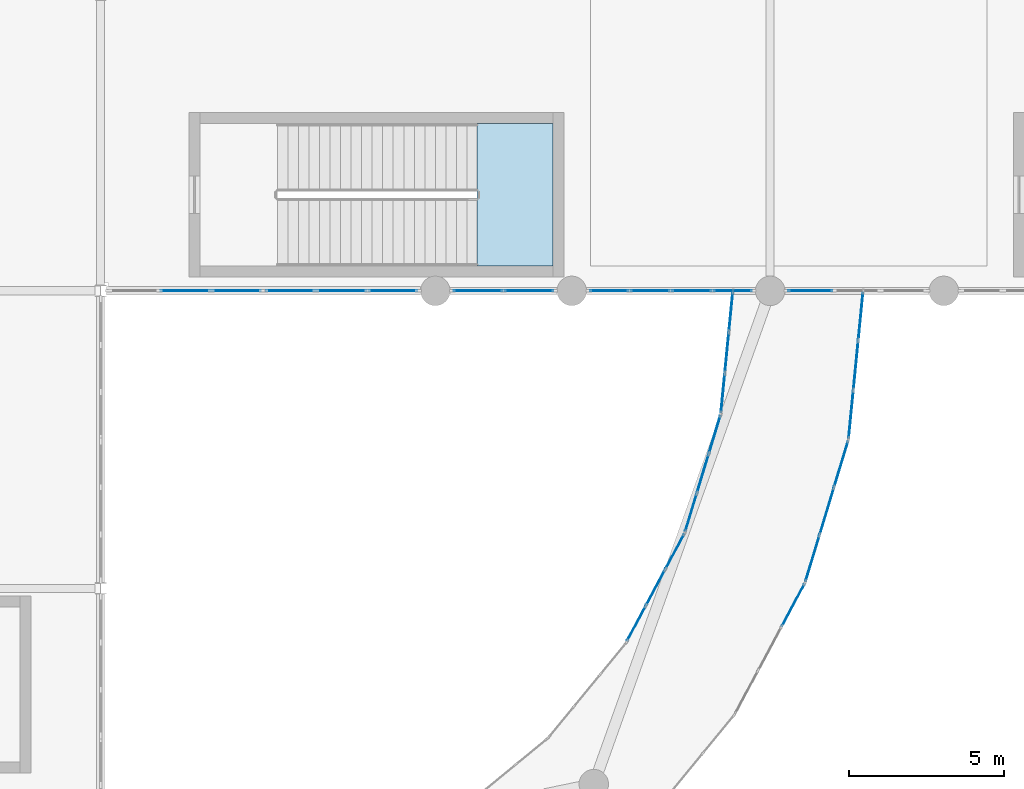
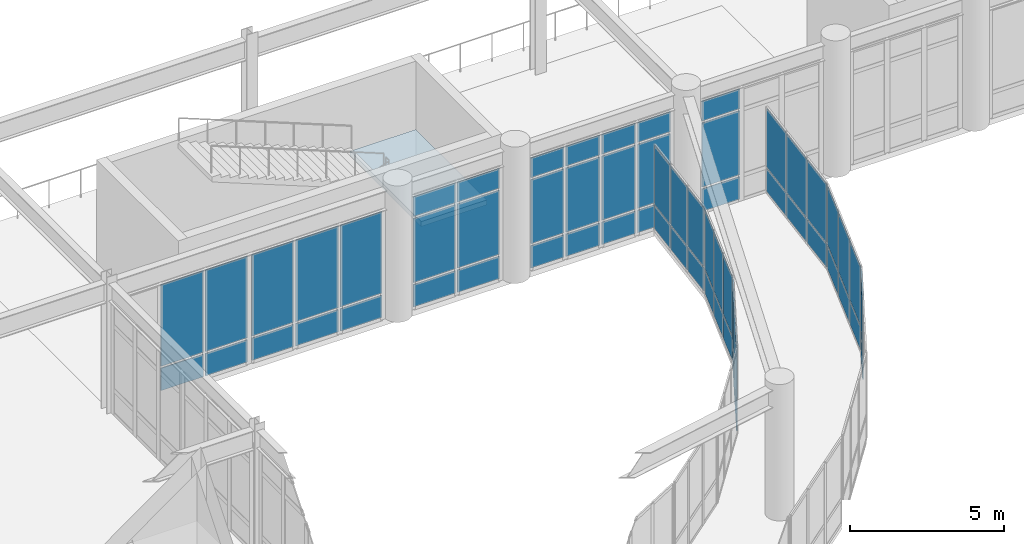
# One storey, part 42 of 72: 63 plates, 1 slab, 12 elements without a shape of their own.
"""IFC4 building model written with IfcOpenShell, lengths in metres."""

from ifc_helpers import new_model, si_unit, direction, frame, origin, origin_2d, place, context, subcontext, project, spatial, polyline, rectangle, outline, extrude, material, layer, layer_set, type_object, element, aggregate, save


model = new_model("IFC4")

# Units and contexts
model_context = context("Model", 3, precision=1e-05, world=origin(), true_north=direction((0.0, 1.0)))
body_context = subcontext(model_context, "Body", "Model", "MODEL_VIEW")
ifc_project = project(units=[si_unit("LENGTHUNIT", "METRE"), si_unit("AREAUNIT", "SQUARE_METRE"), si_unit("VOLUMEUNIT", "CUBIC_METRE"), si_unit("PLANEANGLEUNIT", "RADIAN"), si_unit("MASSUNIT", "GRAM", prefix="KILO")], contexts=[model_context])

# Site, building, storey
site_placement = place(None, origin())
site = spatial("IfcSite", under=ifc_project, at=site_placement, CompositionType="ELEMENT")
building_placement = place(site_placement, origin())
building = spatial("IfcBuilding", under=site, at=building_placement, Name="Veldera Park Congress Hotel", CompositionType="ELEMENT")
storey_placement = place(building_placement, frame((0.0, 0.0, 5.39990234375)))
storey = spatial("IfcBuildingStorey", under=building, at=storey_placement, Name="L01", CompositionType="ELEMENT", Elevation=5.39990234375)

# Curtain wall, plates
ifc_material_1 = material(Name="Low-E Triple Insulating Glass Unit (SHGC 0.22)", Category="glass")
curtain_wall_type_1 = type_object("IfcCurtainWallType", Name="CW-POD", PredefinedType="NOTDEFINED", material=ifc_material_1)
curtain_wall_1_placement = place(storey_placement, origin())
curtain_wall_1 = element("IfcCurtainWall", 1, at=curtain_wall_1_placement, inside=storey, type_object=curtain_wall_type_1, Name="L01 Curtain Wall CW3-V2S-L01-029", PredefinedType="NOTDEFINED")
ifc_layer_1 = layer(ifc_material_1, 0.028076171875)
ifc_layer_set_1 = layer_set([ifc_layer_1], Name="Low-E Triple Insulating Glass Unit (SHGC 0.22)")
plate_type = type_object("IfcPlateType", Name="CWP-IGU28", PredefinedType="CURTAIN_PANEL", material=ifc_layer_set_1)
plate_1_placement = place(storey_placement, frame((1.134033203125, 17.39990234375, 0.0751953125), z_axis=(0.0, 0.0, 1.0), x_axis=(1.0, 0.0, 0.0)))
plate_1 = element("IfcPlate", 2, at=plate_1_placement, type_object=plate_type, Name="CW-POD panel 2.1", PredefinedType="CURTAIN_PANEL", context=body_context, shape_type="SweptSolid", body=[
    extrude(rectangle(XDim=1.596435546875, YDim=0.028076171875, at=origin_2d()), origin(), (0.0, 0.0, 1.0), 0.887451171875),
])
plate_2_placement = place(storey_placement, frame((1.134033203125, 17.39990234375, 1.03759765625), z_axis=(0.0, 0.0, 1.0), x_axis=(1.0, 0.0, 0.0)))
plate_2 = element("IfcPlate", 3, at=plate_2_placement, type_object=plate_type, Name="CW-POD panel 2.2", PredefinedType="CURTAIN_PANEL", context=body_context, shape_type="SweptSolid", body=[
    extrude(rectangle(XDim=1.596435546875, YDim=0.028076171875, at=origin_2d()), origin(), (0.0, 0.0, 1.0), 3.2333984375),
])
plate_3_placement = place(storey_placement, frame((2.78662109375, 17.39990234375, 0.0751953125), z_axis=(0.0, 0.0, 1.0), x_axis=(1.0, 0.0, 0.0)))
plate_3 = element("IfcPlate", 4, at=plate_3_placement, type_object=plate_type, Name="CW-POD panel 3.1", PredefinedType="CURTAIN_PANEL", context=body_context, shape_type="SweptSolid", body=[
    extrude(rectangle(XDim=1.558837890625, YDim=0.028076171875, at=origin_2d()), origin(), (0.0, 0.0, 1.0), 0.887451171875),
])
plate_4_placement = place(storey_placement, frame((2.78662109375, 17.39990234375, 1.03759765625), z_axis=(0.0, 0.0, 1.0), x_axis=(1.0, 0.0, 0.0)))
plate_4 = element("IfcPlate", 5, at=plate_4_placement, type_object=plate_type, Name="CW-POD panel 3.2", PredefinedType="CURTAIN_PANEL", context=body_context, shape_type="SweptSolid", body=[
    extrude(rectangle(XDim=1.558837890625, YDim=0.028076171875, at=origin_2d()), origin(), (0.0, 0.0, 1.0), 3.2333984375),
])
aggregate(curtain_wall_1, [plate_1, plate_2, plate_3, plate_4])

curtain_wall_2_placement = place(storey_placement, origin())
curtain_wall_2 = element("IfcCurtainWall", 6, at=curtain_wall_2_placement, inside=storey, type_object=curtain_wall_type_1, Name="L01 Curtain Wall CW3-V2S-L01-030", PredefinedType="NOTDEFINED")
plate_5_placement = place(storey_placement, frame((4.525390625, 17.39990234375, 0.0751953125), z_axis=(0.0, 0.0, 1.0), x_axis=(1.0, 0.0, 0.0)))
plate_5 = element("IfcPlate", 7, at=plate_5_placement, type_object=plate_type, Name="CW-POD panel 1.1", PredefinedType="CURTAIN_PANEL", context=body_context, shape_type="SweptSolid", body=[
    extrude(rectangle(XDim=1.558837890625, YDim=0.028076171875, at=origin_2d()), origin(), (0.0, 0.0, 1.0), 0.887451171875),
])
plate_6_placement = place(storey_placement, frame((4.525390625, 17.39990234375, 1.03759765625), z_axis=(0.0, 0.0, 1.0), x_axis=(1.0, 0.0, 0.0)))
plate_6 = element("IfcPlate", 8, at=plate_6_placement, type_object=plate_type, Name="CW-POD panel 1.2", PredefinedType="CURTAIN_PANEL", context=body_context, shape_type="SweptSolid", body=[
    extrude(rectangle(XDim=1.558837890625, YDim=0.028076171875, at=origin_2d()), origin(), (0.0, 0.0, 1.0), 3.2333984375),
])
plate_7_placement = place(storey_placement, frame((6.177978515625, 17.39990234375, 0.0751953125), z_axis=(0.0, 0.0, 1.0), x_axis=(1.0, 0.0, 0.0)))
plate_7 = element("IfcPlate", 9, at=plate_7_placement, type_object=plate_type, Name="CW-POD panel 2.1", PredefinedType="CURTAIN_PANEL", context=body_context, shape_type="SweptSolid", body=[
    extrude(rectangle(XDim=1.596435546875, YDim=0.028076171875, at=origin_2d()), origin(), (0.0, 0.0, 1.0), 0.887451171875),
])
plate_8_placement = place(storey_placement, frame((6.177978515625, 17.39990234375, 1.03759765625), z_axis=(0.0, 0.0, 1.0), x_axis=(1.0, 0.0, 0.0)))
plate_8 = element("IfcPlate", 10, at=plate_8_placement, type_object=plate_type, Name="CW-POD panel 2.2", PredefinedType="CURTAIN_PANEL", context=body_context, shape_type="SweptSolid", body=[
    extrude(rectangle(XDim=1.596435546875, YDim=0.028076171875, at=origin_2d()), origin(), (0.0, 0.0, 1.0), 3.2333984375),
])
plate_9_placement = place(storey_placement, frame((7.83056640625, 17.39990234375, 0.0751953125), z_axis=(0.0, 0.0, 1.0), x_axis=(1.0, 0.0, 0.0)))
plate_9 = element("IfcPlate", 11, at=plate_9_placement, type_object=plate_type, Name="CW-POD panel 3.1", PredefinedType="CURTAIN_PANEL", context=body_context, shape_type="SweptSolid", body=[
    extrude(rectangle(XDim=1.558837890625, YDim=0.028076171875, at=origin_2d()), origin(), (0.0, 0.0, 1.0), 0.887451171875),
])
plate_10_placement = place(storey_placement, frame((7.83056640625, 17.39990234375, 1.03759765625), z_axis=(0.0, 0.0, 1.0), x_axis=(1.0, 0.0, 0.0)))
plate_10 = element("IfcPlate", 12, at=plate_10_placement, type_object=plate_type, Name="CW-POD panel 3.2", PredefinedType="CURTAIN_PANEL", context=body_context, shape_type="SweptSolid", body=[
    extrude(rectangle(XDim=1.558837890625, YDim=0.028076171875, at=origin_2d()), origin(), (0.0, 0.0, 1.0), 3.2333984375),
])
aggregate(curtain_wall_2, [plate_5, plate_6, plate_7, plate_8, plate_9, plate_10])

curtain_wall_3_placement = place(storey_placement, origin())
curtain_wall_3 = element("IfcCurtainWall", 13, at=curtain_wall_3_placement, inside=storey, type_object=curtain_wall_type_1, Name="L01 Curtain Wall CW3-V2S-L01-031", PredefinedType="NOTDEFINED")
plate_11_placement = place(storey_placement, frame((10.576171875, 17.39990234375, 0.0751953125), z_axis=(0.0, 0.0, 1.0), x_axis=(1.0, 0.0, 0.0)))
plate_11 = element("IfcPlate", 14, at=plate_11_placement, type_object=plate_type, Name="CW-POD panel 1.1", PredefinedType="CURTAIN_PANEL", context=body_context, shape_type="SweptSolid", body=[
    extrude(rectangle(XDim=1.572509765625, YDim=0.028076171875, at=origin_2d()), origin(), (0.0, 0.0, 1.0), 0.887451171875),
])
plate_12_placement = place(storey_placement, frame((10.576171875, 17.39990234375, 1.03759765625), z_axis=(0.0, 0.0, 1.0), x_axis=(1.0, 0.0, 0.0)))
plate_12 = element("IfcPlate", 15, at=plate_12_placement, type_object=plate_type, Name="CW-POD panel 1.2", PredefinedType="CURTAIN_PANEL", context=body_context, shape_type="SweptSolid", body=[
    extrude(rectangle(XDim=1.572509765625, YDim=0.028076171875, at=origin_2d()), origin(), (0.0, 0.0, 1.0), 2.5380859375),
])
plate_13_placement = place(storey_placement, frame((10.576171875, 17.39990234375, 3.650634765625), z_axis=(0.0, 0.0, 1.0), x_axis=(1.0, 0.0, 0.0)))
plate_13 = element("IfcPlate", 16, at=plate_13_placement, type_object=plate_type, Name="CW-POD panel 1.3", PredefinedType="CURTAIN_PANEL", context=body_context, shape_type="SweptSolid", body=[
    extrude(rectangle(XDim=1.572509765625, YDim=0.028076171875, at=origin_2d()), origin(), (0.0, 0.0, 1.0), 0.78759765625),
])
plate_14_placement = place(storey_placement, frame((12.2236328125, 17.39990234375, 0.0751953125), z_axis=(0.0, 0.0, 1.0), x_axis=(1.0, 0.0, 0.0)))
plate_14 = element("IfcPlate", 17, at=plate_14_placement, type_object=plate_type, Name="CW-POD panel 2.1", PredefinedType="CURTAIN_PANEL", context=body_context, shape_type="SweptSolid", body=[
    extrude(rectangle(XDim=1.572509765625, YDim=0.028076171875, at=origin_2d()), origin(), (0.0, 0.0, 1.0), 0.887451171875),
])
plate_15_placement = place(storey_placement, frame((12.2236328125, 17.39990234375, 1.03759765625), z_axis=(0.0, 0.0, 1.0), x_axis=(1.0, 0.0, 0.0)))
plate_15 = element("IfcPlate", 18, at=plate_15_placement, type_object=plate_type, Name="CW-POD panel 2.2", PredefinedType="CURTAIN_PANEL", context=body_context, shape_type="SweptSolid", body=[
    extrude(rectangle(XDim=1.572509765625, YDim=0.028076171875, at=origin_2d()), origin(), (0.0, 0.0, 1.0), 2.5380859375),
])
plate_16_placement = place(storey_placement, frame((12.2236328125, 17.39990234375, 3.650634765625), z_axis=(0.0, 0.0, 1.0), x_axis=(1.0, 0.0, 0.0)))
plate_16 = element("IfcPlate", 19, at=plate_16_placement, type_object=plate_type, Name="CW-POD panel 2.3", PredefinedType="CURTAIN_PANEL", context=body_context, shape_type="SweptSolid", body=[
    extrude(rectangle(XDim=1.572509765625, YDim=0.028076171875, at=origin_2d()), origin(), (0.0, 0.0, 1.0), 0.78759765625),
])
aggregate(curtain_wall_3, [plate_11, plate_12, plate_13, plate_14, plate_15, plate_16])

curtain_wall_4_placement = place(storey_placement, origin())
curtain_wall_4 = element("IfcCurtainWall", 20, at=curtain_wall_4_placement, inside=storey, type_object=curtain_wall_type_1, Name="L01 Curtain Wall CW3-V2S-L01-032", PredefinedType="NOTDEFINED")
plate_17_placement = place(storey_placement, frame((14.804931640625, 17.39990234375, 0.0751953125), z_axis=(0.0, 0.0, 1.0), x_axis=(1.0, 0.0, 0.0)))
plate_17 = element("IfcPlate", 21, at=plate_17_placement, type_object=plate_type, Name="CW-POD panel 1.1", PredefinedType="CURTAIN_PANEL", context=body_context, shape_type="SweptSolid", body=[
    extrude(rectangle(XDim=1.22998046875, YDim=0.028076171875, at=origin_2d()), origin(), (0.0, 0.0, 1.0), 0.887451171875),
])
plate_18_placement = place(storey_placement, frame((14.804931640625, 17.39990234375, 1.03759765625), z_axis=(0.0, 0.0, 1.0), x_axis=(1.0, 0.0, 0.0)))
plate_18 = element("IfcPlate", 22, at=plate_18_placement, type_object=plate_type, Name="CW-POD panel 1.2", PredefinedType="CURTAIN_PANEL", context=body_context, shape_type="SweptSolid", body=[
    extrude(rectangle(XDim=1.22998046875, YDim=0.028076171875, at=origin_2d()), origin(), (0.0, 0.0, 1.0), 2.5380859375),
])
plate_19_placement = place(storey_placement, frame((14.804931640625, 17.39990234375, 3.650634765625), z_axis=(0.0, 0.0, 1.0), x_axis=(1.0, 0.0, 0.0)))
plate_19 = element("IfcPlate", 23, at=plate_19_placement, type_object=plate_type, Name="CW-POD panel 1.3", PredefinedType="CURTAIN_PANEL", context=body_context, shape_type="SweptSolid", body=[
    extrude(rectangle(XDim=1.22998046875, YDim=0.028076171875, at=origin_2d()), origin(), (0.0, 0.0, 1.0), 0.78759765625),
])
plate_20_placement = place(storey_placement, frame((16.128662109375, 17.39990234375, 0.0751953125), z_axis=(0.0, 0.0, 1.0), x_axis=(1.0, 0.0, 0.0)))
plate_20 = element("IfcPlate", 24, at=plate_20_placement, type_object=plate_type, Name="CW-POD panel 2.1", PredefinedType="CURTAIN_PANEL", context=body_context, shape_type="SweptSolid", body=[
    extrude(rectangle(XDim=1.267578125, YDim=0.028076171875, at=origin_2d()), origin(), (0.0, 0.0, 1.0), 0.887451171875),
])
plate_21_placement = place(storey_placement, frame((16.128662109375, 17.39990234375, 1.03759765625), z_axis=(0.0, 0.0, 1.0), x_axis=(1.0, 0.0, 0.0)))
plate_21 = element("IfcPlate", 25, at=plate_21_placement, type_object=plate_type, Name="CW-POD panel 2.2", PredefinedType="CURTAIN_PANEL", context=body_context, shape_type="SweptSolid", body=[
    extrude(rectangle(XDim=1.267578125, YDim=0.028076171875, at=origin_2d()), origin(), (0.0, 0.0, 1.0), 2.5380859375),
])
plate_22_placement = place(storey_placement, frame((16.128662109375, 17.39990234375, 3.650634765625), z_axis=(0.0, 0.0, 1.0), x_axis=(1.0, 0.0, 0.0)))
plate_22 = element("IfcPlate", 26, at=plate_22_placement, type_object=plate_type, Name="CW-POD panel 2.3", PredefinedType="CURTAIN_PANEL", context=body_context, shape_type="SweptSolid", body=[
    extrude(rectangle(XDim=1.267578125, YDim=0.028076171875, at=origin_2d()), origin(), (0.0, 0.0, 1.0), 0.78759765625),
])
plate_23_placement = place(storey_placement, frame((17.47119140625, 17.39990234375, 0.0751953125), z_axis=(0.0, 0.0, 1.0), x_axis=(1.0, 0.0, 0.0)))
plate_23 = element("IfcPlate", 27, at=plate_23_placement, type_object=plate_type, Name="CW-POD panel 3.1", PredefinedType="CURTAIN_PANEL", context=body_context, shape_type="SweptSolid", body=[
    extrude(rectangle(XDim=1.267578125, YDim=0.028076171875, at=origin_2d()), origin(), (0.0, 0.0, 1.0), 0.887451171875),
])
plate_24_placement = place(storey_placement, frame((17.47119140625, 17.39990234375, 1.03759765625), z_axis=(0.0, 0.0, 1.0), x_axis=(1.0, 0.0, 0.0)))
plate_24 = element("IfcPlate", 28, at=plate_24_placement, type_object=plate_type, Name="CW-POD panel 3.2", PredefinedType="CURTAIN_PANEL", context=body_context, shape_type="SweptSolid", body=[
    extrude(rectangle(XDim=1.267578125, YDim=0.028076171875, at=origin_2d()), origin(), (0.0, 0.0, 1.0), 2.5380859375),
])
plate_25_placement = place(storey_placement, frame((17.47119140625, 17.39990234375, 3.650634765625), z_axis=(0.0, 0.0, 1.0), x_axis=(1.0, 0.0, 0.0)))
plate_25 = element("IfcPlate", 29, at=plate_25_placement, type_object=plate_type, Name="CW-POD panel 3.3", PredefinedType="CURTAIN_PANEL", context=body_context, shape_type="SweptSolid", body=[
    extrude(rectangle(XDim=1.267578125, YDim=0.028076171875, at=origin_2d()), origin(), (0.0, 0.0, 1.0), 0.78759765625),
])
plate_26_placement = place(storey_placement, frame((18.794921875, 17.39990234375, 0.0751953125), z_axis=(0.0, 0.0, 1.0), x_axis=(1.0, 0.0, 0.0)))
plate_26 = element("IfcPlate", 30, at=plate_26_placement, type_object=plate_type, Name="CW-POD panel 4.1", PredefinedType="CURTAIN_PANEL", context=body_context, shape_type="SweptSolid", body=[
    extrude(rectangle(XDim=1.22998046875, YDim=0.028076171875, at=origin_2d()), origin(), (0.0, 0.0, 1.0), 0.887451171875),
])
plate_27_placement = place(storey_placement, frame((18.794921875, 17.39990234375, 1.03759765625), z_axis=(0.0, 0.0, 1.0), x_axis=(1.0, 0.0, 0.0)))
plate_27 = element("IfcPlate", 31, at=plate_27_placement, type_object=plate_type, Name="CW-POD panel 4.2", PredefinedType="CURTAIN_PANEL", context=body_context, shape_type="SweptSolid", body=[
    extrude(rectangle(XDim=1.22998046875, YDim=0.028076171875, at=origin_2d()), origin(), (0.0, 0.0, 1.0), 2.5380859375),
])
plate_28_placement = place(storey_placement, frame((18.794921875, 17.39990234375, 3.650634765625), z_axis=(0.0, 0.0, 1.0), x_axis=(1.0, 0.0, 0.0)))
plate_28 = element("IfcPlate", 32, at=plate_28_placement, type_object=plate_type, Name="CW-POD panel 4.3", PredefinedType="CURTAIN_PANEL", context=body_context, shape_type="SweptSolid", body=[
    extrude(rectangle(XDim=1.22998046875, YDim=0.028076171875, at=origin_2d()), origin(), (0.0, 0.0, 1.0), 0.78759765625),
])
aggregate(curtain_wall_4, [plate_17, plate_18, plate_19, plate_20, plate_21, plate_22, plate_23, plate_24, plate_25, plate_26, plate_27, plate_28])

curtain_wall_5_placement = place(storey_placement, origin())
curtain_wall_5 = element("IfcCurtainWall", 33, at=curtain_wall_5_placement, inside=storey, type_object=curtain_wall_type_1, Name="L01 Curtain Wall CW3-V2S-L01-033", PredefinedType="NOTDEFINED")
plate_29_placement = place(storey_placement, frame((21.29541015625, 17.39990234375, 0.0751953125), z_axis=(0.0, 0.0, 1.0), x_axis=(1.0, 0.0, 0.0)))
plate_29 = element("IfcPlate", 34, at=plate_29_placement, type_object=plate_type, Name="CW-POD panel 1.1", PredefinedType="CURTAIN_PANEL", context=body_context, shape_type="SweptSolid", body=[
    extrude(rectangle(XDim=1.410888671875, YDim=0.028076171875, at=origin_2d()), origin(), (0.0, 0.0, 1.0), 0.887451171875),
])
plate_30_placement = place(storey_placement, frame((21.29541015625, 17.39990234375, 1.03759765625), z_axis=(0.0, 0.0, 1.0), x_axis=(1.0, 0.0, 0.0)))
plate_30 = element("IfcPlate", 35, at=plate_30_placement, type_object=plate_type, Name="CW-POD panel 1.2", PredefinedType="CURTAIN_PANEL", context=body_context, shape_type="SweptSolid", body=[
    extrude(rectangle(XDim=1.410888671875, YDim=0.028076171875, at=origin_2d()), origin(), (0.0, 0.0, 1.0), 2.5380859375),
])
plate_31_placement = place(storey_placement, frame((21.29541015625, 17.39990234375, 3.650634765625), z_axis=(0.0, 0.0, 1.0), x_axis=(1.0, 0.0, 0.0)))
plate_31 = element("IfcPlate", 36, at=plate_31_placement, type_object=plate_type, Name="CW-POD panel 1.3", PredefinedType="CURTAIN_PANEL", context=body_context, shape_type="SweptSolid", body=[
    extrude(rectangle(XDim=1.410888671875, YDim=0.028076171875, at=origin_2d()), origin(), (0.0, 0.0, 1.0), 0.78759765625),
])
aggregate(curtain_wall_5, [plate_29, plate_30, plate_31])

curtain_wall_type_2 = type_object("IfcCurtainWallType", Name="CW-BRG", PredefinedType="NOTDEFINED", material=ifc_material_1)
curtain_wall_6_placement = place(storey_placement, origin())
curtain_wall_6 = element("IfcCurtainWall", 37, at=curtain_wall_6_placement, inside=storey, type_object=curtain_wall_type_2, Name="L01 Curtain Wall CW3-BRGW-L01-A05", PredefinedType="NOTDEFINED")
plate_32_placement = place(storey_placement, frame((20.741455078125, 7.263916015625, 0.06005859375), z_axis=(0.0, 0.0, 1.0), x_axis=(0.471384501415, 0.881927804203, 0.0)))
plate_32 = element("IfcPlate", 38, at=plate_32_placement, type_object=plate_type, Name="CW-BRG panel 3.1", PredefinedType="CURTAIN_PANEL", context=body_context, shape_type="SweptSolid", body=[
    extrude(rectangle(XDim=1.517578125, YDim=0.028076171875, at=origin_2d()), origin(), (0.0, 0.0, 1.0), 0.909912109375),
])
plate_33_placement = place(storey_placement, frame((20.741455078125, 7.263916015625, 1.030029296875), z_axis=(0.0, 0.0, 1.0), x_axis=(0.471384501415, 0.881927804203, 0.0)))
plate_33 = element("IfcPlate", 39, at=plate_33_placement, type_object=plate_type, Name="CW-BRG panel 3.2", PredefinedType="CURTAIN_PANEL", context=body_context, shape_type="SweptSolid", body=[
    extrude(rectangle(XDim=1.517578125, YDim=0.028076171875, at=origin_2d()), origin(), (0.0, 0.0, 1.0), 2.31005859375),
])
aggregate(curtain_wall_6, [plate_32, plate_33])

curtain_wall_7_placement = place(storey_placement, origin())
curtain_wall_7 = element("IfcCurtainWall", 40, at=curtain_wall_7_placement, inside=storey, type_object=curtain_wall_type_2, Name="L01 Curtain Wall CW3-BRGW-L01-A06", PredefinedType="NOTDEFINED")
plate_34_placement = place(storey_placement, frame((21.364990234375, 8.76953125, 0.06005859375), z_axis=(0.0, 0.0, 1.0), x_axis=(0.290287663177, 0.956939429957, 0.0)))
plate_34 = element("IfcPlate", 41, at=plate_34_placement, type_object=plate_type, Name="CW-BRG panel 1.1", PredefinedType="CURTAIN_PANEL", context=body_context, shape_type="SweptSolid", body=[
    extrude(rectangle(XDim=1.517578125, YDim=0.028076171875, at=origin_2d()), origin(), (0.0, 0.0, 1.0), 0.909912109375),
])
plate_35_placement = place(storey_placement, frame((21.364990234375, 8.76953125, 1.030029296875), z_axis=(0.0, 0.0, 1.0), x_axis=(0.290287663177, 0.956939429957, 0.0)))
plate_35 = element("IfcPlate", 42, at=plate_35_placement, type_object=plate_type, Name="CW-BRG panel 1.2", PredefinedType="CURTAIN_PANEL", context=body_context, shape_type="SweptSolid", body=[
    extrude(rectangle(XDim=1.517578125, YDim=0.028076171875, at=origin_2d()), origin(), (0.0, 0.0, 1.0), 2.31005859375),
])
plate_36_placement = place(storey_placement, frame((21.827392578125, 10.29345703125, 0.06005859375), z_axis=(0.0, 0.0, 1.0), x_axis=(0.290287663177, 0.956939429957, 0.0)))
plate_36 = element("IfcPlate", 43, at=plate_36_placement, type_object=plate_type, Name="CW-BRG panel 2.1", PredefinedType="CURTAIN_PANEL", context=body_context, shape_type="SweptSolid", body=[
    extrude(rectangle(XDim=1.547607421875, YDim=0.028076171875, at=origin_2d()), origin(), (0.0, 0.0, 1.0), 0.909912109375),
])
plate_37_placement = place(storey_placement, frame((21.827392578125, 10.29345703125, 1.030029296875), z_axis=(0.0, 0.0, 1.0), x_axis=(0.290287663177, 0.956939429957, 0.0)))
plate_37 = element("IfcPlate", 44, at=plate_37_placement, type_object=plate_type, Name="CW-BRG panel 2.2", PredefinedType="CURTAIN_PANEL", context=body_context, shape_type="SweptSolid", body=[
    extrude(rectangle(XDim=1.547607421875, YDim=0.028076171875, at=origin_2d()), origin(), (0.0, 0.0, 1.0), 2.31005859375),
])
plate_38_placement = place(storey_placement, frame((22.28955078125, 11.8173828125, 0.06005859375), z_axis=(0.0, 0.0, 1.0), x_axis=(0.290287663177, 0.956939429957, 0.0)))
plate_38 = element("IfcPlate", 45, at=plate_38_placement, type_object=plate_type, Name="CW-BRG panel 3.1", PredefinedType="CURTAIN_PANEL", context=body_context, shape_type="SweptSolid", body=[
    extrude(rectangle(XDim=1.517578125, YDim=0.028076171875, at=origin_2d()), origin(), (0.0, 0.0, 1.0), 0.909912109375),
])
plate_39_placement = place(storey_placement, frame((22.28955078125, 11.8173828125, 1.030029296875), z_axis=(0.0, 0.0, 1.0), x_axis=(0.290287663177, 0.956939429957, 0.0)))
plate_39 = element("IfcPlate", 46, at=plate_39_placement, type_object=plate_type, Name="CW-BRG panel 3.2", PredefinedType="CURTAIN_PANEL", context=body_context, shape_type="SweptSolid", body=[
    extrude(rectangle(XDim=1.517578125, YDim=0.028076171875, at=origin_2d()), origin(), (0.0, 0.0, 1.0), 2.31005859375),
])
aggregate(curtain_wall_7, [plate_34, plate_35, plate_36, plate_37, plate_38, plate_39])

curtain_wall_8_placement = place(storey_placement, origin())
curtain_wall_8 = element("IfcCurtainWall", 47, at=curtain_wall_8_placement, inside=storey, type_object=curtain_wall_type_2, Name="L01 Curtain Wall CW3-BRGW-L01-A07", PredefinedType="NOTDEFINED")
plate_40_placement = place(storey_placement, frame((22.607666015625, 13.41552734375, 0.06005859375), z_axis=(0.0, 0.0, 1.0), x_axis=(0.098021259481, 0.995184320963, 0.0)))
plate_40 = element("IfcPlate", 48, at=plate_40_placement, type_object=plate_type, Name="CW-BRG panel 1.1", PredefinedType="CURTAIN_PANEL", context=body_context, shape_type="SweptSolid", body=[
    extrude(rectangle(XDim=1.517578125, YDim=0.028076171875, at=origin_2d()), origin(), (0.0, 0.0, 1.0), 0.909912109375),
])
plate_41_placement = place(storey_placement, frame((22.607666015625, 13.41552734375, 1.030029296875), z_axis=(0.0, 0.0, 1.0), x_axis=(0.098021259481, 0.995184320963, 0.0)))
plate_41 = element("IfcPlate", 49, at=plate_41_placement, type_object=plate_type, Name="CW-BRG panel 1.2", PredefinedType="CURTAIN_PANEL", context=body_context, shape_type="SweptSolid", body=[
    extrude(rectangle(XDim=1.517578125, YDim=0.028076171875, at=origin_2d()), origin(), (0.0, 0.0, 1.0), 2.31005859375),
])
plate_42_placement = place(storey_placement, frame((22.763671875, 15.00048828125, 0.06005859375), z_axis=(0.0, 0.0, 1.0), x_axis=(0.098021259481, 0.995184320963, 0.0)))
plate_42 = element("IfcPlate", 50, at=plate_42_placement, type_object=plate_type, Name="CW-BRG panel 2.1", PredefinedType="CURTAIN_PANEL", context=body_context, shape_type="SweptSolid", body=[
    extrude(rectangle(XDim=1.54736328125, YDim=0.028076171875, at=origin_2d()), origin(), (0.0, 0.0, 1.0), 0.909912109375),
])
plate_43_placement = place(storey_placement, frame((22.763671875, 15.00048828125, 1.030029296875), z_axis=(0.0, 0.0, 1.0), x_axis=(0.098021259481, 0.995184320963, 0.0)))
plate_43 = element("IfcPlate", 51, at=plate_43_placement, type_object=plate_type, Name="CW-BRG panel 2.2", PredefinedType="CURTAIN_PANEL", context=body_context, shape_type="SweptSolid", body=[
    extrude(rectangle(XDim=1.54736328125, YDim=0.028076171875, at=origin_2d()), origin(), (0.0, 0.0, 1.0), 2.31005859375),
])
plate_44_placement = place(storey_placement, frame((22.919677734375, 16.585205078125, 0.06005859375), z_axis=(0.0, 0.0, 1.0), x_axis=(0.098021259481, 0.995184320963, 0.0)))
plate_44 = element("IfcPlate", 52, at=plate_44_placement, type_object=plate_type, Name="CW-BRG panel 3.1", PredefinedType="CURTAIN_PANEL", context=body_context, shape_type="SweptSolid", body=[
    extrude(rectangle(XDim=1.517578125, YDim=0.028076171875, at=origin_2d()), origin(), (0.0, 0.0, 1.0), 0.909912109375),
])
plate_45_placement = place(storey_placement, frame((22.919677734375, 16.585205078125, 1.030029296875), z_axis=(0.0, 0.0, 1.0), x_axis=(0.098021259481, 0.995184320963, 0.0)))
plate_45 = element("IfcPlate", 53, at=plate_45_placement, type_object=plate_type, Name="CW-BRG panel 3.2", PredefinedType="CURTAIN_PANEL", context=body_context, shape_type="SweptSolid", body=[
    extrude(rectangle(XDim=1.517578125, YDim=0.028076171875, at=origin_2d()), origin(), (0.0, 0.0, 1.0), 2.31005859375),
])
aggregate(curtain_wall_8, [plate_40, plate_41, plate_42, plate_43, plate_44, plate_45])

curtain_wall_9_placement = place(storey_placement, origin())
curtain_wall_9 = element("IfcCurtainWall", 54, at=curtain_wall_9_placement, inside=storey, type_object=curtain_wall_type_2, Name="L01 Curtain Wall CW3-BRGW-L01-B09", PredefinedType="NOTDEFINED")
plate_46_placement = place(storey_placement, frame((18.733154296875, 16.7216796875, 0.06005859375), z_axis=(0.0, 0.0, 1.0), x_axis=(-0.098023062513, -0.99518414337, 0.0)))
plate_46 = element("IfcPlate", 55, at=plate_46_placement, type_object=plate_type, Name="CW-BRG panel 1.1", PredefinedType="CURTAIN_PANEL", context=body_context, shape_type="SweptSolid", body=[
    extrude(rectangle(XDim=1.242919921875, YDim=0.028076171875, at=origin_2d()), origin(), (0.0, 0.0, 1.0), 0.909912109375),
])
plate_47_placement = place(storey_placement, frame((18.733154296875, 16.7216796875, 1.030029296875), z_axis=(0.0, 0.0, 1.0), x_axis=(-0.098023062513, -0.99518414337, 0.0)))
plate_47 = element("IfcPlate", 56, at=plate_47_placement, type_object=plate_type, Name="CW-BRG panel 1.2", PredefinedType="CURTAIN_PANEL", context=body_context, shape_type="SweptSolid", body=[
    extrude(rectangle(XDim=1.242919921875, YDim=0.028076171875, at=origin_2d()), origin(), (0.0, 0.0, 1.0), 2.31005859375),
])
plate_48_placement = place(storey_placement, frame((18.60400390625, 15.41015625, 0.06005859375), z_axis=(0.0, 0.0, 1.0), x_axis=(-0.098023062513, -0.99518414337, 0.0)))
plate_48 = element("IfcPlate", 57, at=plate_48_placement, type_object=plate_type, Name="CW-BRG panel 2.1", PredefinedType="CURTAIN_PANEL", context=body_context, shape_type="SweptSolid", body=[
    extrude(rectangle(XDim=1.27294921875, YDim=0.028076171875, at=origin_2d()), origin(), (0.0, 0.0, 1.0), 0.909912109375),
])
plate_49_placement = place(storey_placement, frame((18.60400390625, 15.41015625, 1.030029296875), z_axis=(0.0, 0.0, 1.0), x_axis=(-0.098023062513, -0.99518414337, 0.0)))
plate_49 = element("IfcPlate", 58, at=plate_49_placement, type_object=plate_type, Name="CW-BRG panel 2.2", PredefinedType="CURTAIN_PANEL", context=body_context, shape_type="SweptSolid", body=[
    extrude(rectangle(XDim=1.27294921875, YDim=0.028076171875, at=origin_2d()), origin(), (0.0, 0.0, 1.0), 2.31005859375),
])
plate_50_placement = place(storey_placement, frame((18.474853515625, 14.098388671875, 0.06005859375), z_axis=(0.0, 0.0, 1.0), x_axis=(-0.098023062513, -0.99518414337, 0.0)))
plate_50 = element("IfcPlate", 59, at=plate_50_placement, type_object=plate_type, Name="CW-BRG panel 3.1", PredefinedType="CURTAIN_PANEL", context=body_context, shape_type="SweptSolid", body=[
    extrude(rectangle(XDim=1.242919921875, YDim=0.028076171875, at=origin_2d()), origin(), (0.0, 0.0, 1.0), 0.909912109375),
])
plate_51_placement = place(storey_placement, frame((18.474853515625, 14.098388671875, 1.030029296875), z_axis=(0.0, 0.0, 1.0), x_axis=(-0.098023062513, -0.99518414337, 0.0)))
plate_51 = element("IfcPlate", 60, at=plate_51_placement, type_object=plate_type, Name="CW-BRG panel 3.2", PredefinedType="CURTAIN_PANEL", context=body_context, shape_type="SweptSolid", body=[
    extrude(rectangle(XDim=1.242919921875, YDim=0.028076171875, at=origin_2d()), origin(), (0.0, 0.0, 1.0), 2.31005859375),
])
aggregate(curtain_wall_9, [plate_46, plate_47, plate_48, plate_49, plate_50, plate_51])

curtain_wall_10_placement = place(storey_placement, origin())
curtain_wall_10 = element("IfcCurtainWall", 61, at=curtain_wall_10_placement, inside=storey, type_object=curtain_wall_type_2, Name="L01 Curtain Wall CW3-BRGW-L01-B10", PredefinedType="NOTDEFINED")
plate_52_placement = place(storey_placement, frame((18.210205078125, 12.76806640625, 0.06005859375), z_axis=(0.0, 0.0, 1.0), x_axis=(-0.290289846929, -0.956938767513, 0.0)))
plate_52 = element("IfcPlate", 62, at=plate_52_placement, type_object=plate_type, Name="CW-BRG panel 1.1", PredefinedType="CURTAIN_PANEL", context=body_context, shape_type="SweptSolid", body=[
    extrude(rectangle(XDim=1.242919921875, YDim=0.028076171875, at=origin_2d()), origin(), (0.0, 0.0, 1.0), 0.909912109375),
])
plate_53_placement = place(storey_placement, frame((18.210205078125, 12.76806640625, 1.030029296875), z_axis=(0.0, 0.0, 1.0), x_axis=(-0.290289846929, -0.956938767513, 0.0)))
plate_53 = element("IfcPlate", 63, at=plate_53_placement, type_object=plate_type, Name="CW-BRG panel 1.2", PredefinedType="CURTAIN_PANEL", context=body_context, shape_type="SweptSolid", body=[
    extrude(rectangle(XDim=1.242919921875, YDim=0.028076171875, at=origin_2d()), origin(), (0.0, 0.0, 1.0), 2.31005859375),
])
plate_54_placement = place(storey_placement, frame((17.82763671875, 11.5068359375, 0.06005859375), z_axis=(0.0, 0.0, 1.0), x_axis=(-0.290289846929, -0.956938767513, 0.0)))
plate_54 = element("IfcPlate", 64, at=plate_54_placement, type_object=plate_type, Name="CW-BRG panel 2.1", PredefinedType="CURTAIN_PANEL", context=body_context, shape_type="SweptSolid", body=[
    extrude(rectangle(XDim=1.27294921875, YDim=0.028076171875, at=origin_2d()), origin(), (0.0, 0.0, 1.0), 0.909912109375),
])
plate_55_placement = place(storey_placement, frame((17.82763671875, 11.5068359375, 1.030029296875), z_axis=(0.0, 0.0, 1.0), x_axis=(-0.290289846929, -0.956938767513, 0.0)))
plate_55 = element("IfcPlate", 65, at=plate_55_placement, type_object=plate_type, Name="CW-BRG panel 2.2", PredefinedType="CURTAIN_PANEL", context=body_context, shape_type="SweptSolid", body=[
    extrude(rectangle(XDim=1.27294921875, YDim=0.028076171875, at=origin_2d()), origin(), (0.0, 0.0, 1.0), 2.31005859375),
])
plate_56_placement = place(storey_placement, frame((17.44482421875, 10.245361328125, 0.06005859375), z_axis=(0.0, 0.0, 1.0), x_axis=(-0.290289846929, -0.956938767513, 0.0)))
plate_56 = element("IfcPlate", 66, at=plate_56_placement, type_object=plate_type, Name="CW-BRG panel 3.1", PredefinedType="CURTAIN_PANEL", context=body_context, shape_type="SweptSolid", body=[
    extrude(rectangle(XDim=1.242919921875, YDim=0.028076171875, at=origin_2d()), origin(), (0.0, 0.0, 1.0), 0.909912109375),
])
plate_57_placement = place(storey_placement, frame((17.44482421875, 10.245361328125, 1.030029296875), z_axis=(0.0, 0.0, 1.0), x_axis=(-0.290289846929, -0.956938767513, 0.0)))
plate_57 = element("IfcPlate", 67, at=plate_57_placement, type_object=plate_type, Name="CW-BRG panel 3.2", PredefinedType="CURTAIN_PANEL", context=body_context, shape_type="SweptSolid", body=[
    extrude(rectangle(XDim=1.242919921875, YDim=0.028076171875, at=origin_2d()), origin(), (0.0, 0.0, 1.0), 2.31005859375),
])
aggregate(curtain_wall_10, [plate_52, plate_53, plate_54, plate_55, plate_56, plate_57])

curtain_wall_11_placement = place(storey_placement, origin())
curtain_wall_11 = element("IfcCurtainWall", 68, at=curtain_wall_11_placement, inside=storey, type_object=curtain_wall_type_2, Name="L01 Curtain Wall CW3-BRGW-L01-B11", PredefinedType="NOTDEFINED")
plate_58_placement = place(storey_placement, frame((16.92578125, 8.9921875, 0.06005859375), z_axis=(0.0, 0.0, 1.0), x_axis=(-0.471383642588, -0.881928263239, 0.0)))
plate_58 = element("IfcPlate", 69, at=plate_58_placement, type_object=plate_type, Name="CW-BRG panel 1.1", PredefinedType="CURTAIN_PANEL", context=body_context, shape_type="SweptSolid", body=[
    extrude(rectangle(XDim=1.242919921875, YDim=0.028076171875, at=origin_2d()), origin(), (0.0, 0.0, 1.0), 0.909912109375),
])
plate_59_placement = place(storey_placement, frame((16.92578125, 8.9921875, 1.030029296875), z_axis=(0.0, 0.0, 1.0), x_axis=(-0.471383642588, -0.881928263239, 0.0)))
plate_59 = element("IfcPlate", 70, at=plate_59_placement, type_object=plate_type, Name="CW-BRG panel 1.2", PredefinedType="CURTAIN_PANEL", context=body_context, shape_type="SweptSolid", body=[
    extrude(rectangle(XDim=1.242919921875, YDim=0.028076171875, at=origin_2d()), origin(), (0.0, 0.0, 1.0), 2.31005859375),
])
plate_60_placement = place(storey_placement, frame((16.304443359375, 7.829833984375, 0.06005859375), z_axis=(0.0, 0.0, 1.0), x_axis=(-0.471383642588, -0.881928263239, 0.0)))
plate_60 = element("IfcPlate", 71, at=plate_60_placement, type_object=plate_type, Name="CW-BRG panel 2.1", PredefinedType="CURTAIN_PANEL", context=body_context, shape_type="SweptSolid", body=[
    extrude(rectangle(XDim=1.27294921875, YDim=0.028076171875, at=origin_2d()), origin(), (0.0, 0.0, 1.0), 0.909912109375),
])
plate_61_placement = place(storey_placement, frame((16.304443359375, 7.829833984375, 1.030029296875), z_axis=(0.0, 0.0, 1.0), x_axis=(-0.471383642588, -0.881928263239, 0.0)))
plate_61 = element("IfcPlate", 72, at=plate_61_placement, type_object=plate_type, Name="CW-BRG panel 2.2", PredefinedType="CURTAIN_PANEL", context=body_context, shape_type="SweptSolid", body=[
    extrude(rectangle(XDim=1.27294921875, YDim=0.028076171875, at=origin_2d()), origin(), (0.0, 0.0, 1.0), 2.31005859375),
])
plate_62_placement = place(storey_placement, frame((15.683349609375, 6.66748046875, 0.06005859375), z_axis=(0.0, 0.0, 1.0), x_axis=(-0.471383642588, -0.881928263239, 0.0)))
plate_62 = element("IfcPlate", 73, at=plate_62_placement, type_object=plate_type, Name="CW-BRG panel 3.1", PredefinedType="CURTAIN_PANEL", context=body_context, shape_type="SweptSolid", body=[
    extrude(rectangle(XDim=1.242919921875, YDim=0.028076171875, at=origin_2d()), origin(), (0.0, 0.0, 1.0), 0.909912109375),
])
plate_63_placement = place(storey_placement, frame((15.683349609375, 6.66748046875, 1.030029296875), z_axis=(0.0, 0.0, 1.0), x_axis=(-0.471383642588, -0.881928263239, 0.0)))
plate_63 = element("IfcPlate", 74, at=plate_63_placement, type_object=plate_type, Name="CW-BRG panel 3.2", PredefinedType="CURTAIN_PANEL", context=body_context, shape_type="SweptSolid", body=[
    extrude(rectangle(XDim=1.242919921875, YDim=0.028076171875, at=origin_2d()), origin(), (0.0, 0.0, 1.0), 2.31005859375),
])
aggregate(curtain_wall_11, [plate_58, plate_59, plate_60, plate_61, plate_62, plate_63])

# Stair, slab
ifc_material_2 = material(Name="Concrete f'c 40 MPa (5,800 psi)", Category="concrete")
stair_type = type_object("IfcStairType", Name="ST6", PredefinedType="HALF_TURN_STAIR", material=ifc_material_2)
stair_placement = place(storey_placement, origin())
stair = element("IfcStair", 75, at=stair_placement, inside=storey, type_object=stair_type, Name="L01 Protected Exit Stair ST6", PredefinedType="HALF_TURN_STAIR")
ifc_layer_2 = layer(ifc_material_2, 0.199951171875)
ifc_layer_set_2 = layer_set([ifc_layer_2], Name="Concrete f'c 40 MPa (5,800 psi)")
slab_type = type_object("IfcSlabType", Name="SLD-ST6", PredefinedType="LANDING", material=ifc_layer_set_2)
slab_placement = place(storey_placement, frame((0.0, 0.0, 2.5)))
slab = element("IfcSlab", 76, at=slab_placement, type_object=slab_type, Name="ST6 landing 1", PredefinedType="LANDING", context=body_context, shape_type="SweptSolid", body=[
    extrude(outline(polyline([(10.544921875, 18.199951171875), (13.0, 18.199951171875), (13.0, 22.800048828125), (10.544921875, 22.800048828125), (10.544921875, 18.199951171875)])), origin(), (0.0, 0.0, 1.0), 0.2001953125),
])
aggregate(stair, [slab])

save(model, "model.ifc")
